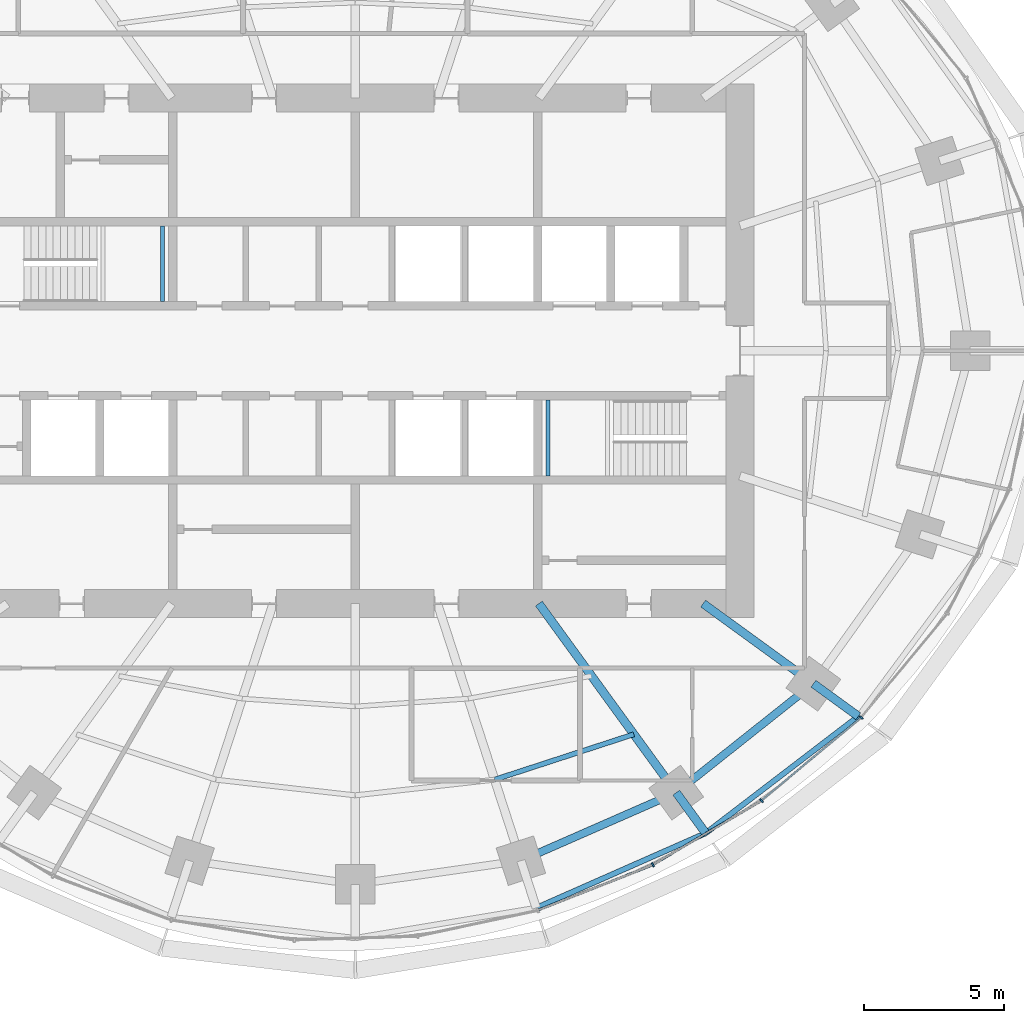
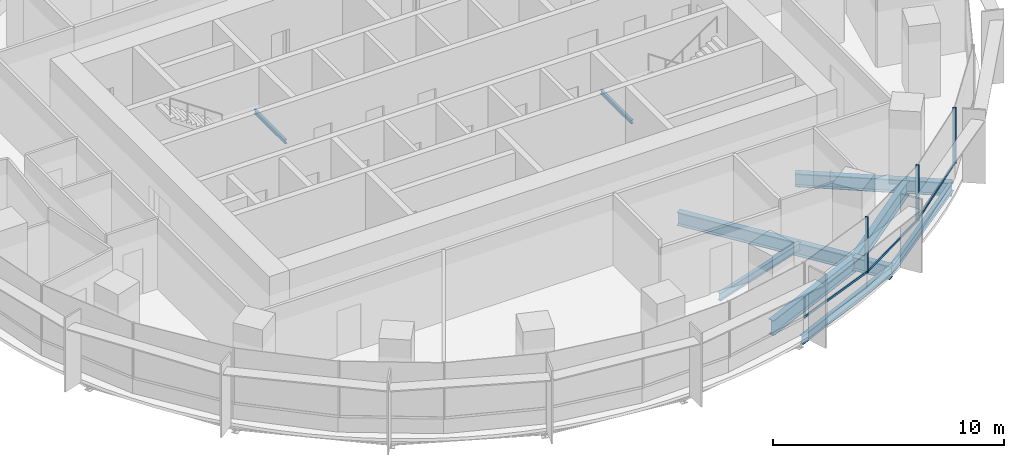
# One storey, part 5 of 14: 11 beams, 6 members, 2 elements without a shape of their own.
"""IFC4 building model written with IfcOpenShell, lengths in metres."""

from ifc_helpers import new_model, si_unit, direction, frame, origin, origin_2d, place, context, subcontext, project, spatial, rectangle, i_section, extrude, material, material_profile, profile_set, type_object, element, aggregate, save


model = new_model("IFC4")

# Units and contexts
model_context = context("Model", 3, precision=1e-05, world=origin(), true_north=direction((0.0, 1.0)))
body_context = subcontext(model_context, "Body", "Model", "MODEL_VIEW")
ifc_project = project(units=[si_unit("LENGTHUNIT", "METRE"), si_unit("AREAUNIT", "SQUARE_METRE"), si_unit("VOLUMEUNIT", "CUBIC_METRE"), si_unit("PLANEANGLEUNIT", "RADIAN"), si_unit("MASSUNIT", "GRAM", prefix="KILO")], contexts=[model_context])

# Site, building, storey
site_placement = place(None, origin())
site = spatial("IfcSite", under=ifc_project, at=site_placement, CompositionType="ELEMENT")
building_placement = place(site_placement, origin())
building = spatial("IfcBuilding", under=site, at=building_placement, Name="Marramba Exchange Tower", CompositionType="ELEMENT")
storey_placement = place(building_placement, frame((0.0, 0.0, 183.800048828125)))
storey = spatial("IfcBuildingStorey", under=building, at=storey_placement, Name="L44", CompositionType="ELEMENT", Elevation=183.800048828125)

# Beams
ifc_material_1 = material(Name="Steel AS/NZS 3679.2 grade 300", Category="steel")
ifc_material_profile_1 = material_profile(ifc_material_1, i_section(OverallWidth=0.300048828125, OverallDepth=0.699951171875, WebThickness=0.010009765625, FlangeThickness=0.031982421875, at=origin_2d()), Name="700WB173")
ifc_profile_set_1 = profile_set([ifc_material_profile_1], Name="Steel AS/NZS 3679.2 grade 300")
beam_type_1 = type_object("IfcBeamType", Name="Cantilever girder 700WB173", PredefinedType="BEAM", material=ifc_profile_set_1)
beam_1_placement = place(storey_placement, frame((11.430419921875, -15.732666015625, -0.510009765625), z_axis=(0.58783009415, -0.808984412959, 0.0), x_axis=(0.808984412959, 0.58783009415, 0.0)))
element("IfcBeam", 1, at=beam_1_placement, inside=storey, type_object=beam_type_1, Name="Cantilever girder L44 TC18", PredefinedType="BEAM", context=body_context, shape_type="SweptSolid", body=[
    extrude(i_section(OverallWidth=0.300048828125, OverallDepth=0.699951171875, WebThickness=0.010009765625, FlangeThickness=0.031982421875, at=origin_2d()), origin(), (0.0, 0.0, 1.0), 1.78515625),
])
beam_2_placement = place(storey_placement, frame((16.3154296875, -11.853759765625, -0.510009765625), z_axis=(0.808970801893, -0.587848825537, 0.0), x_axis=(0.587848825537, 0.808970801893, 0.0)))
element("IfcBeam", 2, at=beam_2_placement, inside=storey, type_object=beam_type_1, Name="Cantilever girder L44 TC19", PredefinedType="BEAM", context=body_context, shape_type="SweptSolid", body=[
    extrude(i_section(OverallWidth=0.300048828125, OverallDepth=0.699951171875, WebThickness=0.010009765625, FlangeThickness=0.031982421875, at=origin_2d()), origin(), (0.0, 0.0, 1.0), 1.978515625),
])
ifc_material_2 = material(Name="Steel AS/NZS 3679.1 grade 300", Category="steel")
ifc_material_profile_2 = material_profile(ifc_material_2, i_section(OverallWidth=0.177978515625, OverallDepth=0.406005859375, WebThickness=0.0078125, FlangeThickness=0.0126953125, FilletRadius=0.011474609375, at=origin_2d()), Name="410UB59.7")
ifc_profile_set_2 = profile_set([ifc_material_profile_2], Name="Steel AS/NZS 3679.1 grade 300")
beam_type_2 = type_object("IfcBeamType", Name="Floor joist 410UB59.7", PredefinedType="JOIST", material=ifc_profile_set_2)
beam_3_placement = place(storey_placement, frame((4.9619140625, -15.271484375, -0.363037109375), z_axis=(0.950764024931, 0.309915744834, 0.0), x_axis=(-0.309915744834, 0.950764024931, 0.0)))
element("IfcBeam", 3, at=beam_3_placement, inside=storey, type_object=beam_type_2, Name="Joist L44 bay 17 row 2", PredefinedType="JOIST", context=body_context, shape_type="SweptSolid", body=[
    extrude(i_section(OverallWidth=0.177978515625, OverallDepth=0.406005859375, WebThickness=0.0078125, FlangeThickness=0.0126953125, FilletRadius=0.011474609375, at=origin_2d()), origin(), (0.0, 0.0, 1.0), 5.2158203125),
])

# Curtain wall, members
ifc_material_3 = material(Name="Aluminium framing, bronze anodised", Category="aluminium")
curtain_wall_type = type_object("IfcCurtainWallType", Name="Office ribbon curtain wall", PredefinedType="USERDEFINED", material=ifc_material_3)
curtain_wall_1_placement = place(storey_placement, origin())
curtain_wall_1 = element("IfcCurtainWall", 4, at=curtain_wall_1_placement, inside=storey, type_object=curtain_wall_type, Name="Curtain wall CW4 L44 F26-F30", ObjectType="RIBBON CURTAIN WALL", PredefinedType="USERDEFINED")
ifc_material_4 = material(Name="Aluminium mullion, bronze anodised", Category="aluminium")
ifc_material_profile_3 = material_profile(ifc_material_4, rectangle(XDim=0.159912109375, YDim=0.06005859375, at=origin_2d()), Name="CW4 mullion 60x160")
ifc_profile_set_3 = profile_set([ifc_material_profile_3], Name="Aluminium mullion, bronze anodised")
member_type_1 = type_object("IfcMemberType", Name="Office ribbon curtain wall mullion", PredefinedType="MULLION", material=ifc_profile_set_3)
member_1_placement = place(storey_placement, frame((10.60009765625, -18.2998046875, 0.800048828125), z_axis=(0.0, 0.0, 1.0), x_axis=(-0.508010571686, 0.861350833897, 0.0)))
member_1 = element("IfcMember", 5, at=member_1_placement, type_object=member_type_1, Name="CW4 mullion 1", PredefinedType="MULLION", context=body_context, shape_type="SweptSolid", body=[
    extrude(rectangle(XDim=0.159912109375, YDim=0.06005859375, at=origin_2d()), origin(), (0.0, 0.0, 1.0), 2.93994140625),
])
member_2_placement = place(storey_placement, frame((14.461669921875, -16.0166015625, 0.800048828125), z_axis=(0.0, 0.0, 1.0), x_axis=(-0.639565270127, 0.768736798421, 0.0)))
member_2 = element("IfcMember", 6, at=member_2_placement, type_object=member_type_1, Name="CW4 mullion 1", PredefinedType="MULLION", context=body_context, shape_type="SweptSolid", body=[
    extrude(rectangle(XDim=0.159912109375, YDim=0.06005859375, at=origin_2d()), origin(), (0.0, 0.0, 1.0), 2.93994140625),
])
member_3_placement = place(storey_placement, frame((18.01611328125, -13.052490234375, 0.800048828125), z_axis=(0.0, 0.0, 1.0), x_axis=(-0.769912069289, 0.63814998673, 0.0)))
member_3 = element("IfcMember", 7, at=member_3_placement, type_object=member_type_1, Name="CW4 mullion 1", PredefinedType="MULLION", context=body_context, shape_type="SweptSolid", body=[
    extrude(rectangle(XDim=0.159912109375, YDim=0.06005859375, at=origin_2d()), origin(), (0.0, 0.0, 1.0), 2.93994140625),
])

# Curtain wall, member
curtain_wall_2_placement = place(storey_placement, origin())
curtain_wall_2 = element("IfcCurtainWall", 8, at=curtain_wall_2_placement, inside=storey, type_object=curtain_wall_type, Name="Curtain wall CW4 L44 F21-F25", ObjectType="RIBBON CURTAIN WALL", PredefinedType="USERDEFINED")
ifc_material_5 = material(Name="Aluminium transom, bronze anodised", Category="aluminium")
ifc_material_profile_4 = material_profile(ifc_material_5, rectangle(XDim=0.06005859375, YDim=0.1201171875, at=origin_2d()), Name="CW4 transom 60x120")
ifc_profile_set_4 = profile_set([ifc_material_profile_4], Name="Aluminium transom, bronze anodised")
member_type_2 = type_object("IfcMemberType", Name="Office ribbon curtain wall transom", PredefinedType="USERDEFINED", material=ifc_profile_set_4)
member_4_placement = place(storey_placement, frame((6.53271484375, -19.911376953125, 0.829833984375), z_axis=(0.930068344217, 0.367386547229, 0.0), x_axis=(-0.367386547229, 0.930068344217, 0.0)))
member_4 = element("IfcMember", 9, at=member_4_placement, type_object=member_type_2, Name="CW4 sill transom", ObjectType="TRANSOM", PredefinedType="USERDEFINED", context=body_context, shape_type="SweptSolid", body=[
    extrude(rectangle(XDim=0.06005859375, YDim=0.1201171875, at=origin_2d()), origin(), (0.0, 0.0, 1.0), 4.345458984375),
])
aggregate(curtain_wall_2, [member_4])

# Member
member_5_placement = place(storey_placement, frame((10.6259765625, -18.28466796875, 0.829833984375), z_axis=(0.861342387959, 0.508024891816, 0.0), x_axis=(-0.508024891816, 0.861342387959, 0.0)))
member_5 = element("IfcMember", 10, at=member_5_placement, type_object=member_type_2, Name="CW4 sill transom", ObjectType="TRANSOM", PredefinedType="USERDEFINED", context=body_context, shape_type="SweptSolid", body=[
    extrude(rectangle(XDim=0.06005859375, YDim=0.1201171875, at=origin_2d()), origin(), (0.0, 0.0, 1.0), 4.426513671875),
])

member_6_placement = place(storey_placement, frame((14.48486328125, -15.99755859375, 0.829833984375), z_axis=(0.768707257272, 0.639600775967, 0.0), x_axis=(-0.639600775967, 0.768707257272, 0.0)))
member_6 = element("IfcMember", 11, at=member_6_placement, type_object=member_type_2, Name="CW4 sill transom", ObjectType="TRANSOM", PredefinedType="USERDEFINED", context=body_context, shape_type="SweptSolid", body=[
    extrude(rectangle(XDim=0.06005859375, YDim=0.1201171875, at=origin_2d()), origin(), (0.0, 0.0, 1.0), 4.568603515625),
])

aggregate(curtain_wall_1, [member_1, member_5, member_2, member_6, member_3])

# Beams
ifc_material_profile_5 = material_profile(ifc_material_1, i_section(OverallWidth=0.300048828125, OverallDepth=0.699951171875, WebThickness=0.010009765625, FlangeThickness=0.031982421875, at=origin_2d()), Name="700WB173")
ifc_profile_set_5 = profile_set([ifc_material_profile_5], Name="Steel AS/NZS 3679.2 grade 300")
beam_type_3 = type_object("IfcBeamType", Name="Radial girder 700WB173", PredefinedType="BEAM", material=ifc_profile_set_5)
beam_4_placement = place(storey_placement, frame((6.538818359375, -9.0, -0.510009765625), z_axis=(0.587787877172, -0.809015087282, 0.0), x_axis=(0.809015087282, 0.587787877172, 0.0)))
element("IfcBeam", 12, at=beam_4_placement, inside=storey, type_object=beam_type_3, Name="Radial girder L44 TC18", PredefinedType="BEAM", context=body_context, shape_type="SweptSolid", body=[
    extrude(i_section(OverallWidth=0.300048828125, OverallDepth=0.699951171875, WebThickness=0.010009765625, FlangeThickness=0.031982421875, at=origin_2d()), origin(), (0.0, 0.0, 1.0), 8.322021484375),
])
beam_5_placement = place(storey_placement, frame((12.387451171875, -9.0, -0.510009765625), z_axis=(0.809025189606, -0.58777397236, 0.0), x_axis=(0.58777397236, 0.809025189606, 0.0)))
element("IfcBeam", 13, at=beam_5_placement, inside=storey, type_object=beam_type_3, Name="Radial girder L44 TC19", PredefinedType="BEAM", context=body_context, shape_type="SweptSolid", body=[
    extrude(i_section(OverallWidth=0.300048828125, OverallDepth=0.699951171875, WebThickness=0.010009765625, FlangeThickness=0.031982421875, at=origin_2d()), origin(), (0.0, 0.0, 1.0), 4.855224609375),
])
ifc_material_profile_6 = material_profile(ifc_material_1, i_section(OverallWidth=0.27490234375, OverallDepth=0.800048828125, WebThickness=0.010009765625, FlangeThickness=0.02490234375, at=origin_2d()), Name="800WB168")
ifc_profile_set_6 = profile_set([ifc_material_profile_6], Name="Steel AS/NZS 3679.2 grade 300")
beam_type_4 = type_object("IfcBeamType", Name="Ring beam 800WB168", PredefinedType="SPANDREL", material=ifc_profile_set_6)
beam_6_placement = place(storey_placement, frame((5.899658203125, -18.156982421875, -0.56005859375), z_axis=(0.915876892158, 0.4014592363, 0.0), x_axis=(-0.4014592363, 0.915876892158, 0.0)))
element("IfcBeam", 14, at=beam_6_placement, inside=storey, type_object=beam_type_4, Name="Ring beam L44 TC17-TC18", PredefinedType="SPANDREL", context=body_context, shape_type="SweptSolid", body=[
    extrude(i_section(OverallWidth=0.27490234375, OverallDepth=0.800048828125, WebThickness=0.010009765625, FlangeThickness=0.02490234375, at=origin_2d()), origin(), (0.0, 0.0, 1.0), 6.038818359375),
])
beam_7_placement = place(storey_placement, frame((11.430419921875, -15.732666015625, -0.56005859375), z_axis=(0.783139438128, 0.621846138887, 0.0), x_axis=(-0.621846138887, 0.783139438128, 0.0)))
element("IfcBeam", 15, at=beam_7_placement, inside=storey, type_object=beam_type_4, Name="Ring beam L44 TC18-TC19", PredefinedType="SPANDREL", context=body_context, shape_type="SweptSolid", body=[
    extrude(i_section(OverallWidth=0.27490234375, OverallDepth=0.800048828125, WebThickness=0.010009765625, FlangeThickness=0.02490234375, at=origin_2d()), origin(), (0.0, 0.0, 1.0), 6.23779296875),
])
ifc_material_profile_7 = material_profile(ifc_material_2, i_section(OverallWidth=0.19091796875, OverallDepth=0.4599609375, WebThickness=0.010009765625, FlangeThickness=0.01611328125, FilletRadius=0.011474609375, at=origin_2d()), Name="460UB82.1")
ifc_profile_set_7 = profile_set([ifc_material_profile_7], Name="Steel AS/NZS 3679.1 grade 300")
beam_type_5 = type_object("IfcBeamType", Name="Slab edge beam 460UB82.1", PredefinedType="SPANDREL", material=ifc_profile_set_7)
beam_8_placement = place(storey_placement, frame((6.44580078125, -19.83837890625, -0.39013671875), z_axis=(0.914940719579, 0.403588255102, 0.0), x_axis=(-0.403588255102, 0.914940719579, 0.0)))
element("IfcBeam", 16, at=beam_8_placement, inside=storey, type_object=beam_type_5, Name="Slab edge beam L44 TC17-TC18", PredefinedType="SPANDREL", context=body_context, shape_type="SweptSolid", body=[
    extrude(i_section(OverallWidth=0.19091796875, OverallDepth=0.4599609375, WebThickness=0.010009765625, FlangeThickness=0.01611328125, FilletRadius=0.011474609375, at=origin_2d()), origin(), (0.0, 0.0, 1.0), 6.594970703125),
])
beam_9_placement = place(storey_placement, frame((12.479736328125, -17.1767578125, -0.39013671875), z_axis=(0.794163423189, 0.607704251481, 0.0), x_axis=(-0.607704251481, 0.794163423189, 0.0)))
element("IfcBeam", 17, at=beam_9_placement, inside=storey, type_object=beam_type_5, Name="Slab edge beam L44 TC18-TC19", PredefinedType="SPANDREL", context=body_context, shape_type="SweptSolid", body=[
    extrude(i_section(OverallWidth=0.19091796875, OverallDepth=0.4599609375, WebThickness=0.010009765625, FlangeThickness=0.01611328125, FilletRadius=0.011474609375, at=origin_2d()), origin(), (0.0, 0.0, 1.0), 6.84521484375),
])
ifc_material_profile_8 = material_profile(ifc_material_2, i_section(OverallWidth=0.133056640625, OverallDepth=0.202880859375, WebThickness=0.005859375, FlangeThickness=0.0078125, FilletRadius=0.0087890625, at=origin_2d()), Name="200UB25.4")
ifc_profile_set_8 = profile_set([ifc_material_profile_8], Name="Steel AS/NZS 3679.1 grade 300")
beam_type_6 = type_object("IfcBeamType", Name="Stair landing beam 200UB25.4", PredefinedType="BEAM", material=ifc_profile_set_8)
for number, where, z_axis, x_axis, name in (
    (18, (-6.866455078125, 1.75, 1.6484375), (0.0, 1.0, 0.0), (-1.0, 0.0, 0.0), "Stair landing beam SLB1 ST1 L44 2"),
    (19, (6.866455078125, -4.449951171875, 1.6484375), (0.0, 1.0, 0.0), (-1.0, 0.0, 0.0), "Stair landing beam SLB1 ST2 L44 1"),
):
    element("IfcBeam", number, at=place(storey_placement, frame(where, z_axis=z_axis, x_axis=x_axis)), inside=storey, type_object=beam_type_6, Name=name, PredefinedType="BEAM", context=body_context, shape_type="SweptSolid", body=[
        extrude(i_section(OverallWidth=0.133056640625, OverallDepth=0.202880859375, WebThickness=0.005859375, FlangeThickness=0.0078125, FilletRadius=0.0087890625, at=origin_2d()), origin(), (0.0, 0.0, 1.0), 2.699951171875),
    ])

save(model, "model.ifc")
